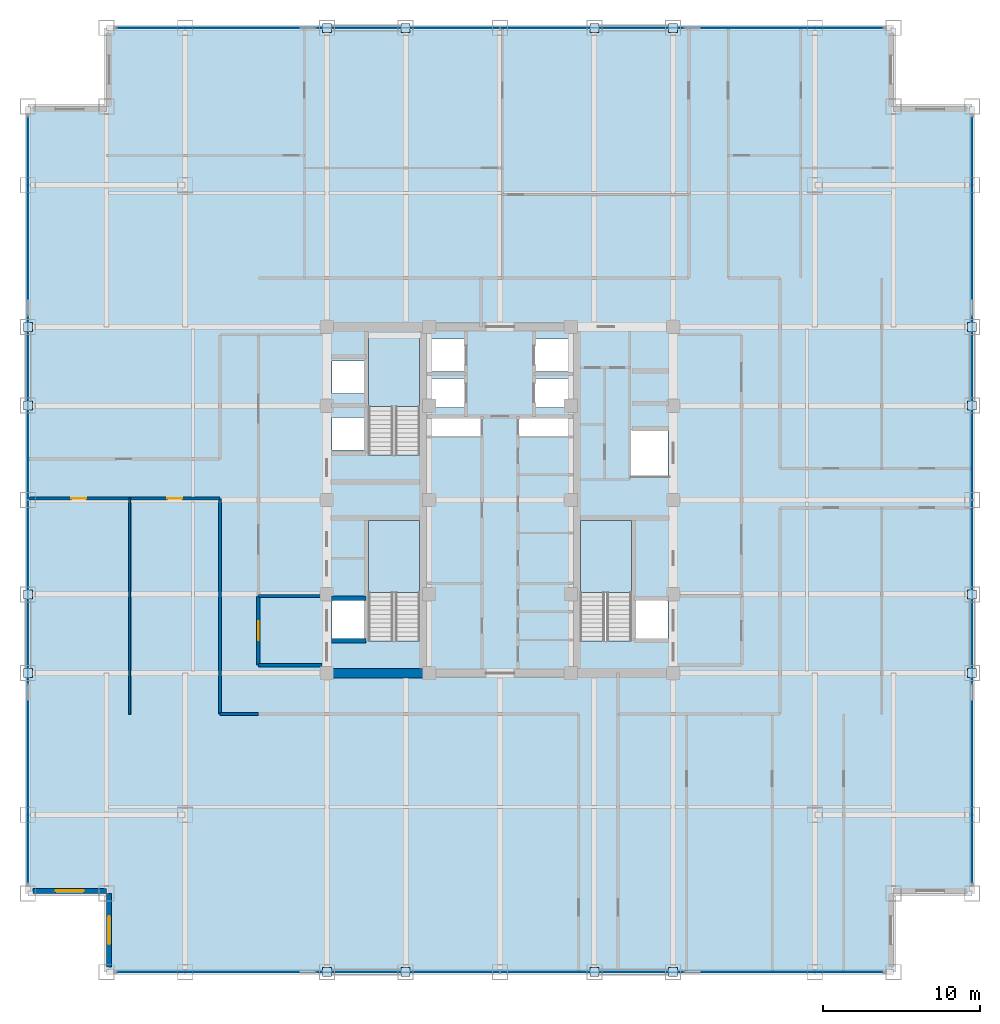
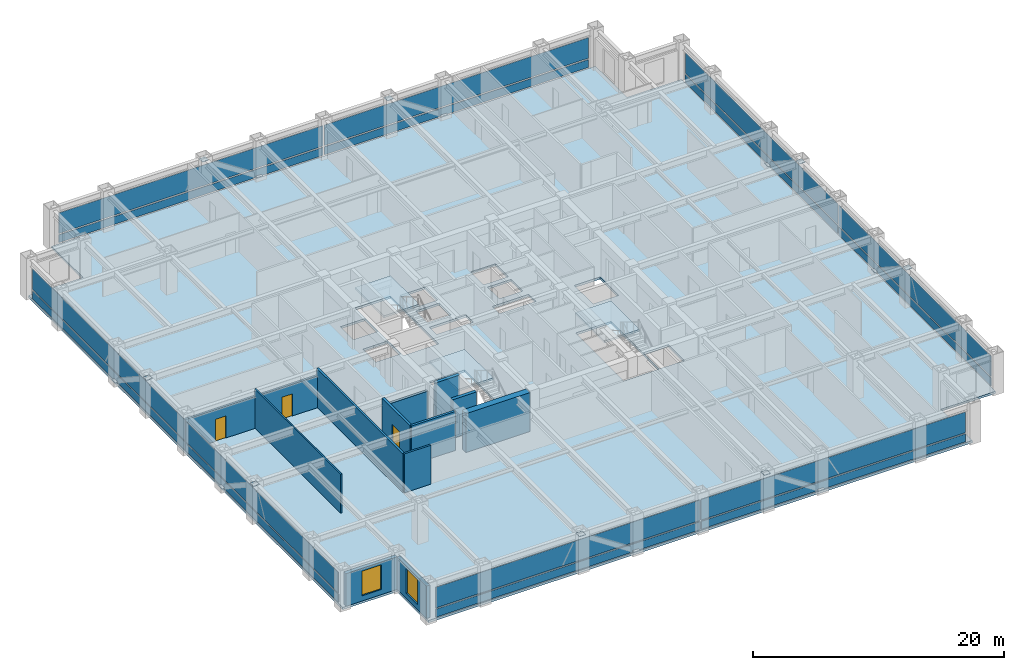
# One storey, part 19 of 25: 32 plates, 12 walls, 4 slabs, 3 doors, 2 windows, 5 openings, 7 elements without a shape of their own.
"""IFC4 building model written with IfcOpenShell, lengths in metres."""

from ifc_helpers import new_model, si_unit, direction, frame, frame_2d, origin, origin_2d, place, context, subcontext, project, spatial, polyline, rectangle, outline, extrude, source, transform, mapped, material, layer, layer_set, type_object, element, fill, aggregate, save


model = new_model("IFC4")

# Units and contexts
model_context = context("Model", 3, precision=1e-05, world=origin(), true_north=direction((0.0, 1.0)))
body_context = subcontext(model_context, "Body", "Model", "MODEL_VIEW")
ifc_project = project(units=[si_unit("LENGTHUNIT", "METRE"), si_unit("AREAUNIT", "SQUARE_METRE"), si_unit("VOLUMEUNIT", "CUBIC_METRE"), si_unit("PLANEANGLEUNIT", "RADIAN"), si_unit("MASSUNIT", "GRAM", prefix="KILO")], contexts=[model_context])

# Site, building, storey
site_placement = place(None, origin())
site = spatial("IfcSite", under=ifc_project, at=site_placement, CompositionType="ELEMENT")
building_placement = place(site_placement, origin())
building = spatial("IfcBuilding", under=site, at=building_placement, Name="Khorayat Bourse Tower", CompositionType="ELEMENT")
storey_placement = place(building_placement, frame((0.0, 0.0, 227.10009765625)))
storey = spatial("IfcBuildingStorey", under=building, at=storey_placement, Name="L53", CompositionType="ELEMENT", Elevation=227.10009765625)

# Stair, slab
ifc_material_1 = material(Name="Concrete C40/50", Category="concrete")
stair_type = type_object("IfcStairType", Name="STR-CORE-1550", PredefinedType="HALF_TURN_STAIR", material=ifc_material_1)
stair_1_placement = place(storey_placement, origin())
stair_1 = element("IfcStair", 1, at=stair_1_placement, inside=storey, type_object=stair_type, Name="L53 Exit Stair ST-1", PredefinedType="HALF_TURN_STAIR")
ifc_layer_1 = layer(ifc_material_1, 0.199951171875)
ifc_layer_set_1 = layer_set([ifc_layer_1], Name="Concrete C40/50")
slab_type_1 = type_object("IfcSlabType", Name="SLB-LANDING-200", PredefinedType="LANDING", material=ifc_layer_set_1)
slab_1_placement = place(storey_placement, frame((0.0, 0.0, 1.7998046875)))
slab_1 = element("IfcSlab", 2, at=slab_1_placement, type_object=slab_type_1, Name="ST-1 landing 1", PredefinedType="LANDING", context=body_context, shape_type="SweptSolid", body=[
    extrude(outline(polyline([(-5.10009765625, -5.8701171875), (-5.10009765625, -1.300048828125), (-8.35009765625, -1.300048828125), (-8.35009765625, -5.8701171875), (-5.10009765625, -5.8701171875)])), origin(), (0.0, 0.0, 1.0), 0.2001953125),
])
aggregate(stair_1, [slab_1])

stair_2_placement = place(storey_placement, origin())
stair_2 = element("IfcStair", 3, at=stair_2_placement, inside=storey, type_object=stair_type, Name="L53 Exit Stair ST-2", PredefinedType="HALF_TURN_STAIR")
slab_2_placement = place(storey_placement, frame((0.0, 0.0, 1.7998046875)))
slab_2 = element("IfcSlab", 4, at=slab_2_placement, type_object=slab_type_1, Name="ST-2 landing 1", PredefinedType="LANDING", context=body_context, shape_type="SweptSolid", body=[
    extrude(outline(polyline([(-5.10009765625, 5.929931640625), (-5.10009765625, 10.5), (-8.35009765625, 10.5), (-8.35009765625, 5.929931640625), (-5.10009765625, 5.929931640625)])), origin(), (0.0, 0.0, 1.0), 0.2001953125),
])
aggregate(stair_2, [slab_2])

stair_3_placement = place(storey_placement, origin())
stair_3 = element("IfcStair", 5, at=stair_3_placement, inside=storey, type_object=stair_type, Name="L53 Exit Stair ST-3", PredefinedType="HALF_TURN_STAIR")
slab_3_placement = place(storey_placement, frame((0.0, 0.0, 1.7998046875)))
slab_3 = element("IfcSlab", 6, at=slab_3_placement, type_object=slab_type_1, Name="ST-3 landing 1", PredefinedType="LANDING", context=body_context, shape_type="SweptSolid", body=[
    extrude(outline(polyline([(8.35009765625, -5.8701171875), (8.35009765625, -1.300048828125), (5.10009765625, -1.300048828125), (5.10009765625, -5.8701171875), (8.35009765625, -5.8701171875)])), origin(), (0.0, 0.0, 1.0), 0.2001953125),
])
aggregate(stair_3, [slab_3])

# Slab
ifc_layer_2 = layer(ifc_material_1, 0.219970703125)
ifc_layer_set_2 = layer_set([ifc_layer_2], Name="Concrete C40/50")
slab_type_2 = type_object("IfcSlabType", Name="SLB-OFFICE-220", PredefinedType="FLOOR", material=ifc_layer_set_2)
slab_4_placement = place(storey_placement, frame((0.0, 0.0, -0.22021484375)))
element("IfcSlab", 7, at=slab_4_placement, inside=storey, type_object=slab_type_2, Name="L53 Main Floor Slab", PredefinedType="FLOOR", context=body_context, shape_type="SweptSolid", body=[
    extrude(outline(polyline([(-25.0, -30.0), (25.0, -30.0), (25.0, -25.0), (30.0, -25.0), (30.0, 25.0), (25.0, 25.0), (25.0, 30.0), (-25.0, 30.0), (-25.0, 25.0), (-30.0, 25.0), (-30.0, -25.0), (-25.0, -25.0), (-25.0, -30.0)]), holes=[polyline([(-8.35009765625, -8.945068359375), (-5.10009765625, -8.945068359375), (-5.10009765625, -1.300048828125), (-8.35009765625, -1.300048828125), (-8.35009765625, -8.945068359375)]), polyline([(-8.35009765625, 2.85498046875), (-5.10009765625, 2.85498046875), (-5.10009765625, 10.5), (-8.35009765625, 10.5), (-8.35009765625, 2.85498046875)]), polyline([(5.10009765625, -8.945068359375), (8.35009765625, -8.945068359375), (8.35009765625, -1.300048828125), (5.10009765625, -1.300048828125), (5.10009765625, -8.945068359375)]), polyline([(-4.3798828125, 8.169921875), (-2.1201171875, 8.169921875), (-2.1201171875, 10.22998046875), (-4.3798828125, 10.22998046875), (-4.3798828125, 8.169921875)]), polyline([(2.1201171875, 8.169921875), (4.3798828125, 8.169921875), (4.3798828125, 10.22998046875), (2.1201171875, 10.22998046875), (2.1201171875, 8.169921875)]), polyline([(-4.3798828125, 5.8701171875), (-2.219970703125, 5.8701171875), (-2.219970703125, 7.72998046875), (-4.3798828125, 7.72998046875), (-4.3798828125, 5.8701171875)]), polyline([(2.219970703125, 5.8701171875), (4.3798828125, 5.8701171875), (4.3798828125, 7.72998046875), (2.219970703125, 7.72998046875), (2.219970703125, 5.8701171875)]), polyline([(-10.679931640625, 3.169921875), (-8.419921875, 3.169921875), (-8.419921875, 5.22998046875), (-10.679931640625, 5.22998046875), (-10.679931640625, 3.169921875)]), polyline([(-10.679931640625, 6.77001953125), (-8.419921875, 6.77001953125), (-8.419921875, 8.830078125), (-10.679931640625, 8.830078125), (-10.679931640625, 6.77001953125)]), polyline([(-10.679931640625, -8.929931640625), (-8.419921875, -8.929931640625), (-8.419921875, -6.3701171875), (-10.679931640625, -6.3701171875), (-10.679931640625, -8.929931640625)]), polyline([(8.419921875, -8.929931640625), (10.679931640625, -8.929931640625), (10.679931640625, -6.3701171875), (8.419921875, -6.3701171875), (8.419921875, -8.929931640625)]), polyline([(8.320068359375, 1.52001953125), (10.679931640625, 1.52001953125), (10.679931640625, 4.47998046875), (8.320068359375, 4.47998046875), (8.320068359375, 1.52001953125)]), polyline([(-4.56005859375, 4.080078125), (-1.18994140625, 4.080078125), (-1.18994140625, 5.219970703125), (-4.56005859375, 5.219970703125), (-4.56005859375, 4.080078125)]), polyline([(1.18994140625, 4.080078125), (4.56005859375, 4.080078125), (4.56005859375, 5.219970703125), (1.18994140625, 5.219970703125), (1.18994140625, 4.080078125)])]), origin(), (0.0, 0.0, 1.0), 0.22021484375),
])

# Plates
ifc_material_2 = material(Name="Steel EN 10025-2 S355J2", Category="steel")
ifc_layer_3 = layer(ifc_material_2, 0.02490234375)
ifc_layer_set_3 = layer_set([ifc_layer_3], Name="Steel EN 10025-2 S355J2")
plate_type_1 = type_object("IfcPlateType", Name="PLT-ENDCAP-25", PredefinedType="SHEET", material=ifc_layer_set_3)
shared_shape_1 = source(origin(), body_context, "Body", "SweptSolid", [
    extrude(rectangle(XDim=0.56005859375, YDim=0.56005859375, at=origin_2d()), origin(), (0.0, 0.0, 1.0), 0.02490234375),
])
for number, where, z_axis, x_axis, name in (
    (8, (-11.0, -30.0, 3.517333984375), (0.0, 0.0, 1.0), (1.0, 0.0, 0.0), "L53 Perimeter Brace End Plate 001"),
    (9, (-6.0, -30.0, 0.237548828125), (0.0, 0.0, 1.0), (1.0, 0.0, 0.0), "L53 Perimeter Brace End Plate 002"),
    (10, (6.0, -30.0, 3.517333984375), (0.0, 0.0, 1.0), (1.0, 0.0, 0.0), "L53 Perimeter Brace End Plate 003"),
    (11, (11.0, -30.0, 0.237548828125), (0.0, 0.0, 1.0), (1.0, 0.0, 0.0), "L53 Perimeter Brace End Plate 004"),
    (12, (-11.0, 30.0, 3.517333984375), (0.0, 0.0, 1.0), (1.0, 0.0, 0.0), "L53 Perimeter Brace End Plate 005"),
    (13, (-6.0, 30.0, 0.237548828125), (0.0, 0.0, 1.0), (1.0, 0.0, 0.0), "L53 Perimeter Brace End Plate 006"),
    (14, (6.0, 30.0, 3.517333984375), (0.0, 0.0, 1.0), (1.0, 0.0, 0.0), "L53 Perimeter Brace End Plate 007"),
    (15, (11.0, 30.0, 0.237548828125), (0.0, 0.0, 1.0), (1.0, 0.0, 0.0), "L53 Perimeter Brace End Plate 008"),
    (16, (-30.0, -11.0, 3.517333984375), (0.0, 0.0, 1.0), (1.0, 0.0, 0.0), "L53 Perimeter Brace End Plate 009"),
    (17, (-30.0, -6.0, 0.237548828125), (0.0, 0.0, 1.0), (1.0, 0.0, 0.0), "L53 Perimeter Brace End Plate 010"),
    (18, (-30.0, 6.0, 3.517333984375), (0.0, 0.0, 1.0), (1.0, 0.0, 0.0), "L53 Perimeter Brace End Plate 011"),
    (19, (-30.0, 11.0, 0.237548828125), (0.0, 0.0, 1.0), (1.0, 0.0, 0.0), "L53 Perimeter Brace End Plate 012"),
    (20, (30.0, -11.0, 3.517333984375), (0.0, 0.0, 1.0), (1.0, 0.0, 0.0), "L53 Perimeter Brace End Plate 013"),
    (21, (30.0, -6.0, 0.237548828125), (0.0, 0.0, 1.0), (1.0, 0.0, 0.0), "L53 Perimeter Brace End Plate 014"),
    (22, (30.0, 6.0, 3.517333984375), (0.0, 0.0, 1.0), (1.0, 0.0, 0.0), "L53 Perimeter Brace End Plate 015"),
    (23, (30.0, 11.0, 0.237548828125), (0.0, 0.0, 1.0), (1.0, 0.0, 0.0), "L53 Perimeter Brace End Plate 016"),
):
    element("IfcPlate", number, at=place(storey_placement, frame(where, z_axis=z_axis, x_axis=x_axis)), inside=storey, type_object=plate_type_1, Name=name, PredefinedType="SHEET", context=body_context, shape_type="MappedRepresentation", body=[
        mapped(shared_shape_1, transform((0.0, 0.0, 0.0), scale=1.0)),
    ])

# Curtain wall, plates
ifc_material_3 = material(Name="Aluminium EN AW-6063 T6", Category="aluminium")
curtain_wall_type = type_object("IfcCurtainWallType", Name="CW-SYS-03", PredefinedType="NOTDEFINED", material=ifc_material_3)
curtain_wall_1_placement = place(storey_placement, origin())
curtain_wall_1 = element("IfcCurtainWall", 24, at=curtain_wall_1_placement, inside=storey, type_object=curtain_wall_type, Name="L53 Curtain Wall CW-L53-S1", PredefinedType="NOTDEFINED")
ifc_material_4 = material(Name="Honed desert limestone insulated spandrel", Category="masonry")
ifc_layer_4 = layer(ifc_material_4, 0.06494140625)
ifc_layer_set_4 = layer_set([ifc_layer_4], Name="Honed desert limestone insulated spandrel")
plate_type_2 = type_object("IfcPlateType", Name="CWP-SPAND-03", PredefinedType="CURTAIN_PANEL", material=ifc_layer_set_4)
shared_shape_2 = source(origin(), body_context, "Body", "SweptSolid", [
    extrude(rectangle(XDim=24.27001953125, YDim=0.06494140625, at=origin_2d()), origin(), (0.0, 0.0, 1.0), 0.77001953125),
])
plate_1_placement = place(storey_placement, frame((-12.195068359375, -30.0, 0.119873046875), z_axis=(0.0, 0.0, 1.0), x_axis=(1.0, 0.0, 0.0)))
plate_1 = element("IfcPlate", 25, at=plate_1_placement, type_object=plate_type_2, Name="CW-L53-S1 Spandrel Panel 1-1", PredefinedType="CURTAIN_PANEL", context=body_context, shape_type="MappedRepresentation", body=[
    mapped(shared_shape_2, transform((0.0, 0.0, 0.0), scale=1.0)),
])
plate_2_placement = place(storey_placement, frame((12.195068359375, -30.0, 0.119873046875), z_axis=(0.0, 0.0, 1.0), x_axis=(1.0, 0.0, 0.0)))
plate_2 = element("IfcPlate", 26, at=plate_2_placement, type_object=plate_type_2, Name="CW-L53-S1 Spandrel Panel 2-1", PredefinedType="CURTAIN_PANEL", context=body_context, shape_type="MappedRepresentation", body=[
    mapped(shared_shape_2, transform((0.0, 0.0, 0.0), scale=1.0)),
])

curtain_wall_2_placement = place(storey_placement, origin())
curtain_wall_2 = element("IfcCurtainWall", 27, at=curtain_wall_2_placement, inside=storey, type_object=curtain_wall_type, Name="L53 Curtain Wall CW-L53-N1", PredefinedType="NOTDEFINED")
plate_3_placement = place(storey_placement, frame((-12.195068359375, 30.0, 0.119873046875), z_axis=(0.0, 0.0, 1.0), x_axis=(1.0, 0.0, 0.0)))
plate_3 = element("IfcPlate", 28, at=plate_3_placement, type_object=plate_type_2, Name="CW-L53-N1 Spandrel Panel 1-1", PredefinedType="CURTAIN_PANEL", context=body_context, shape_type="MappedRepresentation", body=[
    mapped(shared_shape_2, transform((0.0, 0.0, 0.0), scale=1.0)),
])
plate_4_placement = place(storey_placement, frame((12.195068359375, 30.0, 0.119873046875), z_axis=(0.0, 0.0, 1.0), x_axis=(1.0, 0.0, 0.0)))
plate_4 = element("IfcPlate", 29, at=plate_4_placement, type_object=plate_type_2, Name="CW-L53-N1 Spandrel Panel 2-1", PredefinedType="CURTAIN_PANEL", context=body_context, shape_type="MappedRepresentation", body=[
    mapped(shared_shape_2, transform((0.0, 0.0, 0.0), scale=1.0)),
])

curtain_wall_3_placement = place(storey_placement, origin())
curtain_wall_3 = element("IfcCurtainWall", 30, at=curtain_wall_3_placement, inside=storey, type_object=curtain_wall_type, Name="L53 Curtain Wall CW-L53-W1", PredefinedType="NOTDEFINED")
plate_5_placement = place(storey_placement, frame((-30.0, -12.195068359375, 0.119873046875), z_axis=(0.0, 0.0, 1.0), x_axis=(0.0, 1.0, 0.0)))
plate_5 = element("IfcPlate", 31, at=plate_5_placement, type_object=plate_type_2, Name="CW-L53-W1 Spandrel Panel 1-1", PredefinedType="CURTAIN_PANEL", context=body_context, shape_type="MappedRepresentation", body=[
    mapped(shared_shape_2, transform((0.0, 0.0, 0.0), scale=1.0)),
])
plate_6_placement = place(storey_placement, frame((-30.0, 12.195068359375, 0.119873046875), z_axis=(0.0, 0.0, 1.0), x_axis=(0.0, 1.0, 0.0)))
plate_6 = element("IfcPlate", 32, at=plate_6_placement, type_object=plate_type_2, Name="CW-L53-W1 Spandrel Panel 2-1", PredefinedType="CURTAIN_PANEL", context=body_context, shape_type="MappedRepresentation", body=[
    mapped(shared_shape_2, transform((0.0, 0.0, 0.0), scale=1.0)),
])

curtain_wall_4_placement = place(storey_placement, origin())
curtain_wall_4 = element("IfcCurtainWall", 33, at=curtain_wall_4_placement, inside=storey, type_object=curtain_wall_type, Name="L53 Curtain Wall CW-L53-E1", PredefinedType="NOTDEFINED")
plate_7_placement = place(storey_placement, frame((30.0, -12.195068359375, 0.119873046875), z_axis=(0.0, 0.0, 1.0), x_axis=(0.0, 1.0, 0.0)))
plate_7 = element("IfcPlate", 34, at=plate_7_placement, type_object=plate_type_2, Name="CW-L53-E1 Spandrel Panel 1-1", PredefinedType="CURTAIN_PANEL", context=body_context, shape_type="MappedRepresentation", body=[
    mapped(shared_shape_2, transform((0.0, 0.0, 0.0), scale=1.0)),
])
plate_8_placement = place(storey_placement, frame((30.0, 12.195068359375, 0.119873046875), z_axis=(0.0, 0.0, 1.0), x_axis=(0.0, 1.0, 0.0)))
plate_8 = element("IfcPlate", 35, at=plate_8_placement, type_object=plate_type_2, Name="CW-L53-E1 Spandrel Panel 2-1", PredefinedType="CURTAIN_PANEL", context=body_context, shape_type="MappedRepresentation", body=[
    mapped(shared_shape_2, transform((0.0, 0.0, 0.0), scale=1.0)),
])

# Plate
ifc_material_5 = material(Name="Low-E solar-control laminated double glazing", Category="glass")
ifc_layer_5 = layer(ifc_material_5, 0.035888671875)
ifc_layer_set_5 = layer_set([ifc_layer_5], Name="Low-E solar-control laminated double glazing")
plate_type_3 = type_object("IfcPlateType", Name="CWP-VIS-01", PredefinedType="CURTAIN_PANEL", material=ifc_layer_set_5)
shared_shape_3 = source(origin(), body_context, "Body", "SweptSolid", [
    extrude(rectangle(XDim=24.27001953125, YDim=0.035888671875, at=origin_2d()), origin(), (0.0, 0.0, 1.0), 2.0),
])
plate_9_placement = place(storey_placement, frame((-12.195068359375, -30.0, 1.010009765625), z_axis=(0.0, 0.0, 1.0), x_axis=(1.0, 0.0, 0.0)))
plate_9 = element("IfcPlate", 36, at=plate_9_placement, type_object=plate_type_3, Name="CW-L53-S1 Vision Panel 1-2", PredefinedType="CURTAIN_PANEL", context=body_context, shape_type="MappedRepresentation", body=[
    mapped(shared_shape_3, transform((0.0, 0.0, 0.0), scale=1.0)),
])

plate_10_placement = place(storey_placement, frame((12.195068359375, -30.0, 1.010009765625), z_axis=(0.0, 0.0, 1.0), x_axis=(1.0, 0.0, 0.0)))
plate_10 = element("IfcPlate", 37, at=plate_10_placement, type_object=plate_type_3, Name="CW-L53-S1 Vision Panel 2-2", PredefinedType="CURTAIN_PANEL", context=body_context, shape_type="MappedRepresentation", body=[
    mapped(shared_shape_3, transform((0.0, 0.0, 0.0), scale=1.0)),
])

aggregate(curtain_wall_1, [plate_1, plate_9, plate_2, plate_10])

plate_11_placement = place(storey_placement, frame((-12.195068359375, 30.0, 1.010009765625), z_axis=(0.0, 0.0, 1.0), x_axis=(1.0, 0.0, 0.0)))
plate_11 = element("IfcPlate", 38, at=plate_11_placement, type_object=plate_type_3, Name="CW-L53-N1 Vision Panel 1-2", PredefinedType="CURTAIN_PANEL", context=body_context, shape_type="MappedRepresentation", body=[
    mapped(shared_shape_3, transform((0.0, 0.0, 0.0), scale=1.0)),
])

plate_12_placement = place(storey_placement, frame((12.195068359375, 30.0, 1.010009765625), z_axis=(0.0, 0.0, 1.0), x_axis=(1.0, 0.0, 0.0)))
plate_12 = element("IfcPlate", 39, at=plate_12_placement, type_object=plate_type_3, Name="CW-L53-N1 Vision Panel 2-2", PredefinedType="CURTAIN_PANEL", context=body_context, shape_type="MappedRepresentation", body=[
    mapped(shared_shape_3, transform((0.0, 0.0, 0.0), scale=1.0)),
])

aggregate(curtain_wall_2, [plate_3, plate_11, plate_4, plate_12])

plate_13_placement = place(storey_placement, frame((-30.0, -12.195068359375, 1.010009765625), z_axis=(0.0, 0.0, 1.0), x_axis=(0.0, 1.0, 0.0)))
plate_13 = element("IfcPlate", 40, at=plate_13_placement, type_object=plate_type_3, Name="CW-L53-W1 Vision Panel 1-2", PredefinedType="CURTAIN_PANEL", context=body_context, shape_type="MappedRepresentation", body=[
    mapped(shared_shape_3, transform((0.0, 0.0, 0.0), scale=1.0)),
])

plate_14_placement = place(storey_placement, frame((-30.0, 12.195068359375, 1.010009765625), z_axis=(0.0, 0.0, 1.0), x_axis=(0.0, 1.0, 0.0)))
plate_14 = element("IfcPlate", 41, at=plate_14_placement, type_object=plate_type_3, Name="CW-L53-W1 Vision Panel 2-2", PredefinedType="CURTAIN_PANEL", context=body_context, shape_type="MappedRepresentation", body=[
    mapped(shared_shape_3, transform((0.0, 0.0, 0.0), scale=1.0)),
])

aggregate(curtain_wall_3, [plate_5, plate_13, plate_6, plate_14])

plate_15_placement = place(storey_placement, frame((30.0, -12.195068359375, 1.010009765625), z_axis=(0.0, 0.0, 1.0), x_axis=(0.0, 1.0, 0.0)))
plate_15 = element("IfcPlate", 42, at=plate_15_placement, type_object=plate_type_3, Name="CW-L53-E1 Vision Panel 1-2", PredefinedType="CURTAIN_PANEL", context=body_context, shape_type="MappedRepresentation", body=[
    mapped(shared_shape_3, transform((0.0, 0.0, 0.0), scale=1.0)),
])

plate_16_placement = place(storey_placement, frame((30.0, 12.195068359375, 1.010009765625), z_axis=(0.0, 0.0, 1.0), x_axis=(0.0, 1.0, 0.0)))
plate_16 = element("IfcPlate", 43, at=plate_16_placement, type_object=plate_type_3, Name="CW-L53-E1 Vision Panel 2-2", PredefinedType="CURTAIN_PANEL", context=body_context, shape_type="MappedRepresentation", body=[
    mapped(shared_shape_3, transform((0.0, 0.0, 0.0), scale=1.0)),
])

aggregate(curtain_wall_4, [plate_7, plate_15, plate_8, plate_16])

# Wall
ifc_material_6 = material(Name="Concrete C60/75", Category="concrete")
ifc_layer_6 = layer(ifc_material_6, 0.60009765625)
ifc_layer_set_6 = layer_set([ifc_layer_6], Name="Concrete C60/75")
wall_type_1 = type_object("IfcWallType", Name="WAL-CORE-600", PredefinedType="SHEAR", material=ifc_layer_set_6)
shared_shape_4 = source(origin(), body_context, "Body", "SweptSolid", [
    extrude(rectangle(XDim=5.89990234375, YDim=0.60009765625, at=frame_2d((2.949951171875, 0.0))), origin(), (0.0, 0.0, 1.0), 3.77978515625),
])
wall_1_placement = place(storey_placement, frame((-10.75, -11.0, 0.0), z_axis=(0.0, 0.0, 1.0), x_axis=(1.0, 0.0, 0.0)))
element("IfcWall", 44, at=wall_1_placement, inside=storey, type_object=wall_type_1, Name="L53 Core Shear Wall PIER-WS", PredefinedType="SHEAR", context=body_context, shape_type="MappedRepresentation", body=[
    mapped(shared_shape_4, transform((0.0, 0.0, 0.0), scale=1.0)),
])

# Wall, opening, window
ifc_material_7 = material(Name="Precast concrete C45/55", Category="concrete")
ifc_layer_7 = layer(ifc_material_7, 0.320068359375)
ifc_layer_set_7 = layer_set([ifc_layer_7], Name="Precast concrete C45/55")
wall_type_2 = type_object("IfcWallType", Name="WAL-EXT-STONE-320", PredefinedType="STANDARD", material=ifc_layer_set_7)
shared_shape_5 = source(origin(), body_context, "Body", "SweptSolid", [
    extrude(rectangle(XDim=4.679931640625, YDim=0.320068359375, at=frame_2d((2.33984375, 0.0))), origin(), (0.0, 0.0, 1.0), 3.163818359375),
])
wall_2_placement = place(storey_placement, frame((-25.0, -24.840087890625, 0.0), z_axis=(0.0, 0.0, 1.0), x_axis=(-1.0, 0.0, 0.0)))
wall_2 = element("IfcWall", 45, at=wall_2_placement, inside=storey, type_object=wall_type_2, Name="L53 Re-Entrant Notch Limestone Wall SW-H", PredefinedType="STANDARD", context=body_context, shape_type="MappedRepresentation", body=[
    mapped(shared_shape_5, transform((0.0, 0.0, 0.0), scale=1.0)),
])
shared_shape_6 = source(origin(), body_context, "Body", "SweptSolid", [
    extrude(rectangle(XDim=1.800048828125, YDim=2.39990234375, at=frame_2d((0.89990234375, 1.199951171875))), frame((0.0, 0.169921875, 0.0), z_axis=(0.0, -1.0, 0.0), x_axis=(1.0, 0.0, 0.0)), (0.0, 0.0, 1.0), 0.340087890625),
])
opening_1_placement = place(wall_2_placement, frame((1.43994140625, 0.0, 0.5)))
opening_1 = element("IfcOpeningElement", 46, at=opening_1_placement, cuts=wall_2, Name="Opening WN-04", PredefinedType="OPENING", context=body_context, shape_type="MappedRepresentation", body=[
    mapped(shared_shape_6, transform((0.0, 0.0, 0.0), scale=1.0)),
])
ifc_material_8 = material(Name="Low-E acoustic laminated double glazing", Category="glass")
window_type = type_object("IfcWindowType", Name="WIN-NOTCH-1800x2400", PartitioningType="SINGLE_PANEL", PredefinedType="WINDOW", material=ifc_material_8)
shared_shape_7 = source(origin(), body_context, "Body", "SweptSolid", [
    extrude(rectangle(XDim=1.800048828125, YDim=2.39990234375, at=frame_2d((0.89990234375, 1.199951171875))), frame((0.0, 0.030029296875, 0.0), z_axis=(0.0, -1.0, 0.0), x_axis=(1.0, 0.0, 0.0)), (0.0, 0.0, 1.0), 0.06005859375),
])
window_1_placement = place(opening_1_placement, origin())
window_1 = element("IfcWindow", 47, at=window_1_placement, inside=storey, type_object=window_type, Name="L53 Facade Window 1", OverallHeight=2.39990234375, OverallWidth=1.800048828125, PartitioningType="SINGLE_PANEL", PredefinedType="WINDOW", context=body_context, shape_type="MappedRepresentation", body=[
    mapped(shared_shape_7, transform((0.0, 0.0, 0.0), scale=1.0)),
])
fill(opening_1, window_1)

wall_3_placement = place(storey_placement, frame((-24.840087890625, -29.679931640625, 0.0), z_axis=(0.0, 0.0, 1.0), x_axis=(0.0, 1.0, 0.0)))
wall_3 = element("IfcWall", 48, at=wall_3_placement, inside=storey, type_object=wall_type_2, Name="L53 Re-Entrant Notch Limestone Wall SW-V", PredefinedType="STANDARD", context=body_context, shape_type="MappedRepresentation", body=[
    mapped(shared_shape_5, transform((0.0, 0.0, 0.0), scale=1.0)),
])
opening_2_placement = place(wall_3_placement, frame((1.43994140625, 0.0, 0.5)))
opening_2 = element("IfcOpeningElement", 49, at=opening_2_placement, cuts=wall_3, Name="Opening WN-04", PredefinedType="OPENING", context=body_context, shape_type="MappedRepresentation", body=[
    mapped(shared_shape_6, transform((0.0, 0.0, 0.0), scale=1.0)),
])
window_2_placement = place(opening_2_placement, origin())
window_2 = element("IfcWindow", 50, at=window_2_placement, inside=storey, type_object=window_type, Name="L53 Facade Window 1", OverallHeight=2.39990234375, OverallWidth=1.800048828125, PartitioningType="SINGLE_PANEL", PredefinedType="WINDOW", context=body_context, shape_type="MappedRepresentation", body=[
    mapped(shared_shape_7, transform((0.0, 0.0, 0.0), scale=1.0)),
])
fill(opening_2, window_2)

# Walls
ifc_material_9 = material(Name="Aerated concrete blockwork", Category="masonry")
ifc_layer_8 = layer(ifc_material_9, 0.219970703125)
ifc_layer_set_8 = layer_set([ifc_layer_8], Name="Aerated concrete blockwork")
wall_type_3 = type_object("IfcWallType", Name="WAL-PART-FF-220", PredefinedType="PARTITIONING", material=ifc_layer_set_8)
shared_shape_8 = source(origin(), body_context, "Body", "SweptSolid", [
    extrude(rectangle(XDim=4.050048828125, YDim=0.219970703125, at=frame_2d((2.02490234375, 0.0))), origin(), (0.0, 0.0, 1.0), 3.0849609375),
])
wall_4_placement = place(storey_placement, frame((-15.35009765625, -6.10009765625, 0.0), z_axis=(0.0, 0.0, 1.0), x_axis=(1.0, 0.0, 0.0)))
element("IfcWall", 51, at=wall_4_placement, inside=storey, type_object=wall_type_3, Name="L53 Partition WAL-L53-FFLW-N", PredefinedType="PARTITIONING", context=body_context, shape_type="MappedRepresentation", body=[
    mapped(shared_shape_8, transform((0.0, 0.0, 0.0), scale=1.0)),
])
ifc_material_10 = material(Name="Concrete C50/60", Category="concrete")
ifc_layer_9 = layer(ifc_material_10, 0.300048828125)
ifc_layer_set_9 = layer_set([ifc_layer_9], Name="Concrete C50/60")
wall_type_4 = type_object("IfcWallType", Name="WAL-SHAFT-300", PredefinedType="SHEAR", material=ifc_layer_set_9)
shared_shape_9 = source(origin(), body_context, "Body", "SweptSolid", [
    extrude(rectangle(XDim=2.199951171875, YDim=0.300048828125, at=frame_2d((1.10009765625, 0.0))), origin(), (0.0, 0.0, 1.0), 3.77978515625),
])
for number, where, z_axis, x_axis, name in (
    (52, (-10.699951171875, -8.949951171875, 0.0), (0.0, 0.0, 1.0), (1.0, 0.0, 0.0), "L53 Partition WAL-L53-WPIER-FF1S"),
    (53, (-10.699951171875, -6.25, 0.0), (0.0, 0.0, 1.0), (1.0, 0.0, 0.0), "L53 Partition WAL-L53-WPIER-FF1N"),
):
    element("IfcWall", number, at=place(storey_placement, frame(where, z_axis=z_axis, x_axis=x_axis)), inside=storey, type_object=wall_type_4, Name=name, PredefinedType="SHEAR", context=body_context, shape_type="MappedRepresentation", body=[
        mapped(shared_shape_9, transform((0.0, 0.0, 0.0), scale=1.0)),
    ])
shared_shape_10 = source(origin(), body_context, "Body", "SweptSolid", [
    extrude(rectangle(XDim=4.050048828125, YDim=0.219970703125, at=frame_2d((2.02490234375, 0.0))), origin(), (0.0, 0.0, 1.0), 3.77978515625),
])
wall_5_placement = place(storey_placement, frame((-15.35009765625, -10.5, 0.0), z_axis=(0.0, 0.0, 1.0), x_axis=(1.0, 0.0, 0.0)))
element("IfcWall", 54, at=wall_5_placement, inside=storey, type_object=wall_type_3, Name="L53 Partition WAL-L53-FFLW-S", PredefinedType="PARTITIONING", context=body_context, shape_type="MappedRepresentation", body=[
    mapped(shared_shape_10, transform((0.0, 0.0, 0.0), scale=1.0)),
])

# Wall, opening, door
shared_shape_11 = source(origin(), body_context, "Body", "SweptSolid", [
    extrude(rectangle(XDim=4.39990234375, YDim=0.219970703125, at=frame_2d((2.199951171875, 0.0))), origin(), (0.0, 0.0, 1.0), 3.77978515625),
])
wall_6_placement = place(storey_placement, frame((-15.35009765625, -10.5, 0.0), z_axis=(0.0, 0.0, 1.0), x_axis=(0.0, 1.0, 0.0)))
wall_6 = element("IfcWall", 55, at=wall_6_placement, inside=storey, type_object=wall_type_3, Name="L53 Partition WAL-L53-FFLW-W", PredefinedType="PARTITIONING", context=body_context, shape_type="MappedRepresentation", body=[
    mapped(shared_shape_11, transform((0.0, 0.0, 0.0), scale=1.0)),
])
shared_shape_12 = source(origin(), body_context, "Body", "SweptSolid", [
    extrude(rectangle(XDim=1.199951171875, YDim=2.199951171875, at=frame_2d((0.60009765625, 1.10009765625))), frame((0.0, 0.119873046875, 0.0), z_axis=(0.0, -1.0, 0.0), x_axis=(1.0, 0.0, 0.0)), (0.0, 0.0, 1.0), 0.239990234375),
])
opening_3_placement = place(wall_6_placement, frame((1.60009765625, 0.0, 0.0)))
opening_3 = element("IfcOpeningElement", 56, at=opening_3_placement, cuts=wall_6, Name="Opening DI-02", PredefinedType="OPENING", context=body_context, shape_type="MappedRepresentation", body=[
    mapped(shared_shape_12, transform((0.0, 0.0, 0.0), scale=1.0)),
])
ifc_material_11 = material(Name="Fire-rated steel double-seal leaf", Category="steel")
door_type_1 = type_object("IfcDoorType", Name="DR-INT-FFLOBBY-1200", OperationType="NOTDEFINED", PredefinedType="DOOR", material=ifc_material_11)
shared_shape_13 = source(origin(), body_context, "Body", "SweptSolid", [
    extrude(rectangle(XDim=1.199951171875, YDim=2.199951171875, at=frame_2d((0.60009765625, 1.10009765625))), frame((0.0, 0.02490234375, 0.0), z_axis=(0.0, -1.0, 0.0), x_axis=(1.0, 0.0, 0.0)), (0.0, 0.0, 1.0), 0.050048828125),
])
door_1_placement = place(opening_3_placement, origin())
door_1 = element("IfcDoor", 57, at=door_1_placement, inside=storey, type_object=door_type_1, Name="L53 West Firefighting Lobby Door", OperationType="SINGLE_SWING_LEFT", OverallHeight=2.199951171875, OverallWidth=1.199951171875, PredefinedType="DOOR", context=body_context, shape_type="MappedRepresentation", body=[
    mapped(shared_shape_13, transform((0.0, 0.0, 0.0), scale=1.0)),
])
fill(opening_3, door_1)

# Walls
ifc_material_12 = material(Name="Gypsum plasterboard acoustic stud wall")
ifc_layer_10 = layer(ifc_material_12, 0.179931640625)
ifc_layer_set_10 = layer_set([ifc_layer_10], Name="Gypsum plasterboard acoustic stud wall")
wall_type_5 = type_object("IfcWallType", Name="WAL-PART-CORR-180", PredefinedType="PARTITIONING", material=ifc_layer_set_10)
shared_shape_14 = source(origin(), body_context, "Body", "SweptSolid", [
    extrude(rectangle(XDim=2.449951171875, YDim=0.179931640625, at=frame_2d((1.22509765625, 0.0))), origin(), (0.0, 0.0, 1.0), 3.77978515625),
])
wall_7_placement = place(storey_placement, frame((-17.800048828125, -13.60009765625, 0.0), z_axis=(0.0, 0.0, 1.0), x_axis=(1.0, 0.0, 0.0)))
element("IfcWall", 58, at=wall_7_placement, inside=storey, type_object=wall_type_5, Name="L53 Partition WAL-L53-C2-WS", PredefinedType="PARTITIONING", context=body_context, shape_type="MappedRepresentation", body=[
    mapped(shared_shape_14, transform((0.0, 0.0, 0.0), scale=1.0)),
])
ifc_material_13 = material(Name="Gypsum plasterboard partition")
ifc_layer_11 = layer(ifc_material_13, 0.125)
ifc_layer_set_11 = layer_set([ifc_layer_11], Name="Gypsum plasterboard partition")
wall_type_6 = type_object("IfcWallType", Name="WAL-PART-ROOM-125", PredefinedType="PARTITIONING", material=ifc_layer_set_11)
shared_shape_15 = source(origin(), body_context, "Body", "SweptSolid", [
    extrude(rectangle(XDim=13.7001953125, YDim=0.125, at=frame_2d((6.85009765625, 0.0))), origin(), (0.0, 0.0, 1.0), 3.77978515625),
])
wall_8_placement = place(storey_placement, frame((-23.533935546875, -13.60009765625, 0.0), z_axis=(0.0, 0.0, 1.0), x_axis=(0.0, 1.0, 0.0)))
element("IfcWall", 59, at=wall_8_placement, inside=storey, type_object=wall_type_6, Name="L53 Partition WAL-L53-WS-DV", PredefinedType="PARTITIONING", context=body_context, shape_type="MappedRepresentation", body=[
    mapped(shared_shape_15, transform((0.0, 0.0, 0.0), scale=1.0)),
])

# Wall, openings, doors
shared_shape_16 = source(origin(), body_context, "Body", "SweptSolid", [
    extrude(rectangle(XDim=12.199951171875, YDim=0.179931640625, at=frame_2d((6.10009765625, 0.0))), origin(), (0.0, 0.0, 1.0), 3.0849609375),
])
wall_9_placement = place(storey_placement, frame((-30.0, 0.10009765625, 0.0), z_axis=(0.0, 0.0, 1.0), x_axis=(1.0, 0.0, 0.0)))
wall_9 = element("IfcWall", 60, at=wall_9_placement, inside=storey, type_object=wall_type_5, Name="L53 Partition WAL-L53-WS-SPK", PredefinedType="PARTITIONING", context=body_context, shape_type="MappedRepresentation", body=[
    mapped(shared_shape_16, transform((0.0, 0.0, 0.0), scale=1.0)),
])
shared_shape_17 = source(origin(), body_context, "Body", "SweptSolid", [
    extrude(rectangle(XDim=0.949951171875, YDim=2.14990234375, at=frame_2d((0.47509765625, 1.074951171875))), frame((0.0, 0.099853515625, 0.0), z_axis=(0.0, -1.0, 0.0), x_axis=(1.0, 0.0, 0.0)), (0.0, 0.0, 1.0), 0.199951171875),
])
opening_4_placement = place(wall_9_placement, frame((2.758056640625, 0.0, 0.0)))
opening_4 = element("IfcOpeningElement", 61, at=opening_4_placement, cuts=wall_9, Name="Opening DI-05", PredefinedType="OPENING", context=body_context, shape_type="MappedRepresentation", body=[
    mapped(shared_shape_17, transform((0.0, 0.0, 0.0), scale=1.0)),
])
opening_5_placement = place(wall_9_placement, frame((8.85791015625, 0.0, 0.0)))
opening_5 = element("IfcOpeningElement", 62, at=opening_5_placement, cuts=wall_9, Name="Opening DI-05", PredefinedType="OPENING", context=body_context, shape_type="MappedRepresentation", body=[
    mapped(shared_shape_17, transform((0.0, 0.0, 0.0), scale=1.0)),
])
ifc_material_14 = material(Name="Acoustic oak veneer office door")
door_type_2 = type_object("IfcDoorType", Name="DR-INT-OFFICE-950", OperationType="NOTDEFINED", PredefinedType="DOOR", material=ifc_material_14)
shared_shape_18 = source(origin(), body_context, "Body", "SweptSolid", [
    extrude(rectangle(XDim=0.949951171875, YDim=2.14990234375, at=frame_2d((0.47509765625, 1.074951171875))), frame((0.0, 0.02490234375, 0.0), z_axis=(0.0, -1.0, 0.0), x_axis=(1.0, 0.0, 0.0)), (0.0, 0.0, 1.0), 0.050048828125),
])
door_2_placement = place(opening_4_placement, origin())
door_2 = element("IfcDoor", 63, at=door_2_placement, inside=storey, type_object=door_type_2, Name="L53 Brokerage Seminar Room WSA Door", OperationType="SINGLE_SWING_LEFT", OverallHeight=2.14990234375, OverallWidth=0.949951171875, PredefinedType="DOOR", context=body_context, shape_type="MappedRepresentation", body=[
    mapped(shared_shape_18, transform((0.0, 0.0, 0.0), scale=1.0)),
])
fill(opening_4, door_2)
door_3_placement = place(opening_5_placement, origin())
door_3 = element("IfcDoor", 64, at=door_3_placement, inside=storey, type_object=door_type_2, Name="L53 Market Committee Conference Room WSB Door", OperationType="SINGLE_SWING_RIGHT", OverallHeight=2.14990234375, OverallWidth=0.949951171875, PredefinedType="DOOR", context=body_context, shape_type="MappedRepresentation", body=[
    mapped(shared_shape_18, transform((0.0, 0.0, 0.0), scale=1.0)),
])
fill(opening_5, door_3)

# Wall
shared_shape_19 = source(origin(), body_context, "Body", "SweptSolid", [
    extrude(rectangle(XDim=13.7001953125, YDim=0.179931640625, at=frame_2d((6.85009765625, 0.0))), origin(), (0.0, 0.0, 1.0), 3.77978515625),
])
wall_10_placement = place(storey_placement, frame((-17.800048828125, -13.60009765625, 0.0), z_axis=(0.0, 0.0, 1.0), x_axis=(0.0, 1.0, 0.0)))
element("IfcWall", 65, at=wall_10_placement, inside=storey, type_object=wall_type_5, Name="L53 Partition WAL-L53-WS-IN", PredefinedType="PARTITIONING", context=body_context, shape_type="MappedRepresentation", body=[
    mapped(shared_shape_19, transform((0.0, 0.0, 0.0), scale=1.0)),
])

save(model, "model.ifc")
